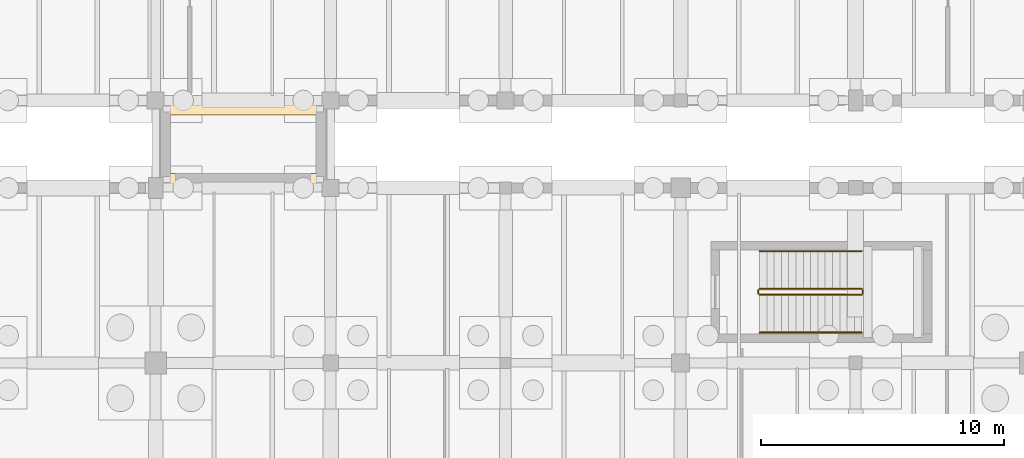
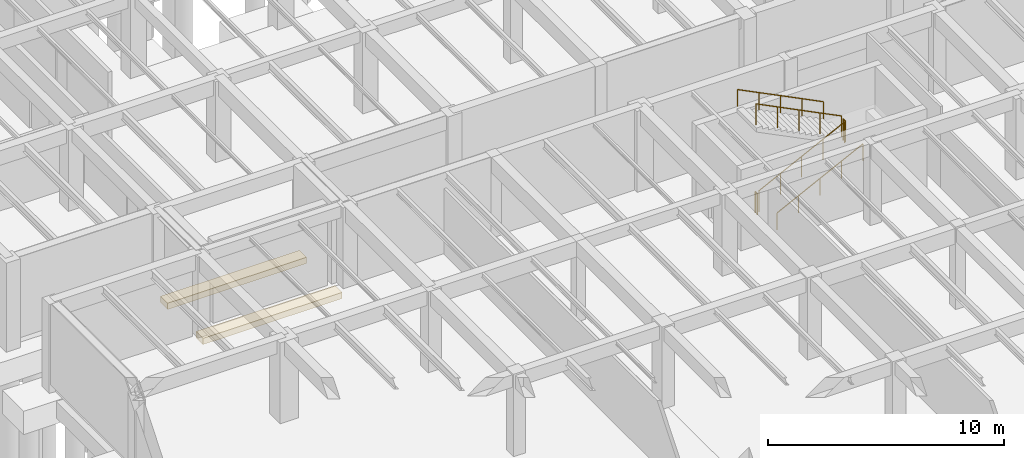
# One storey, part 61 of 63: 6 railings, 2 coverings.
"""IFC4 building model written with IfcOpenShell, lengths in metres."""

from ifc_helpers import new_model, si_unit, direction, frame, origin, origin_2d, place, context, subcontext, project, spatial, polyline, circle, outline, extrude, material, layer, layer_set, type_object, element, save


model = new_model("IFC4")

# Units and contexts
model_context = context("Model", 3, precision=1e-05, world=origin(), true_north=direction((0.0, 1.0)))
body_context = subcontext(model_context, "Body", "Model", "MODEL_VIEW")
ifc_project = project(units=[si_unit("LENGTHUNIT", "METRE"), si_unit("AREAUNIT", "SQUARE_METRE"), si_unit("VOLUMEUNIT", "CUBIC_METRE"), si_unit("PLANEANGLEUNIT", "RADIAN"), si_unit("MASSUNIT", "GRAM", prefix="KILO")], contexts=[model_context])

# Site, building, storey
site_placement = place(None, origin())
site = spatial("IfcSite", under=ifc_project, at=site_placement, CompositionType="ELEMENT")
building_placement = place(site_placement, origin())
building = spatial("IfcBuilding", under=site, at=building_placement, Name="Mazaris Harbour Polytechnic", CompositionType="ELEMENT")
storey_placement = place(building_placement, frame((0.0, 0.0, -4.5)))
storey = spatial("IfcBuildingStorey", under=building, at=storey_placement, Name="B1", CompositionType="ELEMENT", Elevation=-4.5)

# Coverings
ifc_material_1 = material(Name="Concrete C40/50", Category="concrete")
ifc_layer = layer(ifc_material_1, 0.320068359375, Name="Concrete C40/50")
ifc_layer_set = layer_set([ifc_layer], Name="Concrete C40/50")
covering_type = type_object("IfcCoveringType", Name="Bridge Bearing Corbel 600", PredefinedType="CLADDING", material=ifc_layer_set)
covering_1_placement = place(storey_placement, frame((0.0, 0.0, -0.764892578125)))
element("IfcCovering", 1, at=covering_1_placement, inside=storey, type_object=covering_type, Name="PB-NE B1 600mm Bridge Bearing Seat Corbel S", PredefinedType="CLADDING", context=body_context, shape_type="SweptSolid", body=[
    extrude(outline(polyline([(129.800048828125, 43.199951171875), (136.60009765625, 43.199951171875), (136.60009765625, 43.800048828125), (129.800048828125, 43.800048828125), (129.800048828125, 43.199951171875)])), origin(), (0.0, 0.0, 1.0), 0.31982421875),
])
covering_2_placement = place(storey_placement, frame((0.0, 0.0, -0.764892578125)))
element("IfcCovering", 2, at=covering_2_placement, inside=storey, type_object=covering_type, Name="PB-NE B1 600mm Bridge Bearing Seat Corbel N", PredefinedType="CLADDING", context=body_context, shape_type="SweptSolid", body=[
    extrude(outline(polyline([(129.800048828125, 46.199951171875), (136.60009765625, 46.199951171875), (136.60009765625, 46.800048828125), (129.800048828125, 46.800048828125), (129.800048828125, 46.199951171875)])), origin(), (0.0, 0.0, 1.0), 0.31982421875),
])

# Railings
ifc_material_2 = material(Name="Stainless Steel S355", Category="steel")
railing_type_1 = type_object("IfcRailingType", Name="Stair Wall Handrail 900", PredefinedType="HANDRAIL", material=ifc_material_2)
railing_1_placement = place(storey_placement, frame((154.449951171875, 37.25, 0.14990234375)))
element("IfcRailing", 3, at=railing_1_placement, inside=storey, type_object=railing_type_1, Name="B1 ST04 stair handrail 1", PredefinedType="HANDRAIL", context=body_context, shape_type="SweptSolid", body=[
    extrude(circle(Radius=0.02392578125, at=origin_2d()), frame((0.0, 0.0, 0.8759765625), z_axis=(0.894416792377, 0.0, 0.447234392142), x_axis=(0.0, 1.0, 0.0)), (0.0, 0.0, 1.0), 4.69580078125),
    extrude(circle(Radius=0.02099609375, at=origin_2d()), origin(), (0.0, 0.0, 1.0), 0.851806640625),
    extrude(circle(Radius=0.02099609375, at=origin_2d()), frame((1.050048828125, 0.0, 0.52490234375)), (0.0, 0.0, 1.0), 0.851806640625),
    extrude(circle(Radius=0.02099609375, at=origin_2d()), frame((2.10009765625, 0.0, 1.050048828125)), (0.0, 0.0, 1.0), 0.851806640625),
    extrude(circle(Radius=0.02099609375, at=origin_2d()), frame((3.14990234375, 0.0, 1.5751953125)), (0.0, 0.0, 1.0), 0.851806640625),
    extrude(circle(Radius=0.02099609375, at=origin_2d()), frame((4.199951171875, 0.0, 2.10009765625)), (0.0, 0.0, 1.0), 0.851806640625),
])
railing_2_placement = place(storey_placement, frame((158.64990234375, 40.60009765625, 2.39990234375)))
element("IfcRailing", 4, at=railing_2_placement, inside=storey, type_object=railing_type_1, Name="B1 ST04 stair handrail 2", PredefinedType="HANDRAIL", context=body_context, shape_type="SweptSolid", body=[
    extrude(circle(Radius=0.02392578125, at=origin_2d()), frame((0.0, 0.0, 0.8759765625), z_axis=(-0.894416792377, 0.0, 0.447234392142), x_axis=(0.0, -1.0, 0.0)), (0.0, 0.0, 1.0), 4.69580078125),
    extrude(circle(Radius=0.02099609375, at=origin_2d()), origin(), (0.0, 0.0, 1.0), 0.851806640625),
    extrude(circle(Radius=0.02099609375, at=origin_2d()), frame((-1.050048828125, 0.0, 0.52490234375)), (0.0, 0.0, 1.0), 0.851806640625),
    extrude(circle(Radius=0.02099609375, at=origin_2d()), frame((-2.10009765625, 0.0, 1.050048828125)), (0.0, 0.0, 1.0), 0.851806640625),
    extrude(circle(Radius=0.02099609375, at=origin_2d()), frame((-3.14990234375, 0.0, 1.5751953125)), (0.0, 0.0, 1.0), 0.851806640625),
    extrude(circle(Radius=0.02099609375, at=origin_2d()), frame((-4.199951171875, 0.0, 2.10009765625)), (0.0, 0.0, 1.0), 0.851806640625),
])
ifc_material_3 = material(Name="Steel S355", Category="steel")
railing_type_2 = type_object("IfcRailingType", Name="Stair Well Guardrail 1100", PredefinedType="GUARDRAIL", material=ifc_material_3)
railing_3_placement = place(storey_placement, frame((154.449951171875, 38.800048828125, 0.14990234375)))
element("IfcRailing", 5, at=railing_3_placement, inside=storey, type_object=railing_type_2, Name="B1 ST04 stair guard 1", PredefinedType="GUARDRAIL", context=body_context, shape_type="SweptSolid", body=[
    extrude(circle(Radius=0.02392578125, at=origin_2d()), frame((0.0, 0.0, 1.076171875), z_axis=(0.894416792377, 0.0, 0.447234392142), x_axis=(0.0, 1.0, 0.0)), (0.0, 0.0, 1.0), 4.69580078125),
    extrude(circle(Radius=0.02099609375, at=origin_2d()), origin(), (0.0, 0.0, 1.0), 1.052001953125),
    extrude(circle(Radius=0.02099609375, at=origin_2d()), frame((1.050048828125, 0.0, 0.52490234375)), (0.0, 0.0, 1.0), 1.052001953125),
    extrude(circle(Radius=0.02099609375, at=origin_2d()), frame((2.10009765625, 0.0, 1.050048828125)), (0.0, 0.0, 1.0), 1.052001953125),
    extrude(circle(Radius=0.02099609375, at=origin_2d()), frame((3.14990234375, 0.0, 1.5751953125)), (0.0, 0.0, 1.0), 1.052001953125),
    extrude(circle(Radius=0.02099609375, at=origin_2d()), frame((4.199951171875, 0.0, 2.10009765625)), (0.0, 0.0, 1.0), 1.052001953125),
])
railing_4_placement = place(storey_placement, frame((158.699951171875, 38.85009765625, 2.25)))
element("IfcRailing", 6, at=railing_4_placement, inside=storey, type_object=railing_type_2, Name="B1 ST04 stair guard 2", PredefinedType="GUARDRAIL", context=body_context, shape_type="SweptSolid", body=[
    extrude(circle(Radius=0.02392578125, at=origin_2d()), frame((0.0, 0.0, 1.076171875), z_axis=(0.0, 1.0, 0.0), x_axis=(-1.0, 0.0, 0.0)), (0.0, 0.0, 1.0), 0.14990234375),
    extrude(circle(Radius=0.02099609375, at=origin_2d()), origin(), (0.0, 0.0, 1.0), 1.052001953125),
    extrude(circle(Radius=0.02099609375, at=origin_2d()), frame((0.0, 0.14990234375, 0.0)), (0.0, 0.0, 1.0), 1.052001953125),
])
railing_5_placement = place(storey_placement, frame((158.64990234375, 39.050048828125, 2.39990234375)))
element("IfcRailing", 7, at=railing_5_placement, inside=storey, type_object=railing_type_2, Name="B1 ST04 stair guard 3", PredefinedType="GUARDRAIL", context=body_context, shape_type="SweptSolid", body=[
    extrude(circle(Radius=0.02392578125, at=origin_2d()), frame((0.0, 0.0, 1.076171875), z_axis=(-0.894416792377, 0.0, 0.447234392142), x_axis=(0.0, -1.0, 0.0)), (0.0, 0.0, 1.0), 4.69580078125),
    extrude(circle(Radius=0.02099609375, at=origin_2d()), origin(), (0.0, 0.0, 1.0), 1.052001953125),
    extrude(circle(Radius=0.02099609375, at=origin_2d()), frame((-1.050048828125, 0.0, 0.52490234375)), (0.0, 0.0, 1.0), 1.052001953125),
    extrude(circle(Radius=0.02099609375, at=origin_2d()), frame((-2.10009765625, 0.0, 1.050048828125)), (0.0, 0.0, 1.0), 1.052001953125),
    extrude(circle(Radius=0.02099609375, at=origin_2d()), frame((-3.14990234375, 0.0, 1.5751953125)), (0.0, 0.0, 1.0), 1.052001953125),
    extrude(circle(Radius=0.02099609375, at=origin_2d()), frame((-4.199951171875, 0.0, 2.10009765625)), (0.0, 0.0, 1.0), 1.052001953125),
])
railing_6_placement = place(storey_placement, frame((154.39990234375, 38.85009765625, 0.0)))
element("IfcRailing", 8, at=railing_6_placement, inside=storey, type_object=railing_type_2, Name="B1 ST04 stair guard 4", PredefinedType="GUARDRAIL", context=body_context, shape_type="SweptSolid", body=[
    extrude(circle(Radius=0.02392578125, at=origin_2d()), frame((0.0, 0.0, 1.076171875), z_axis=(0.0, 1.0, 0.0), x_axis=(-1.0, 0.0, 0.0)), (0.0, 0.0, 1.0), 0.14990234375),
    extrude(circle(Radius=0.02099609375, at=origin_2d()), origin(), (0.0, 0.0, 1.0), 1.052001953125),
    extrude(circle(Radius=0.02099609375, at=origin_2d()), frame((0.0, 0.14990234375, 0.0)), (0.0, 0.0, 1.0), 1.052001953125),
])

save(model, "model.ifc")
